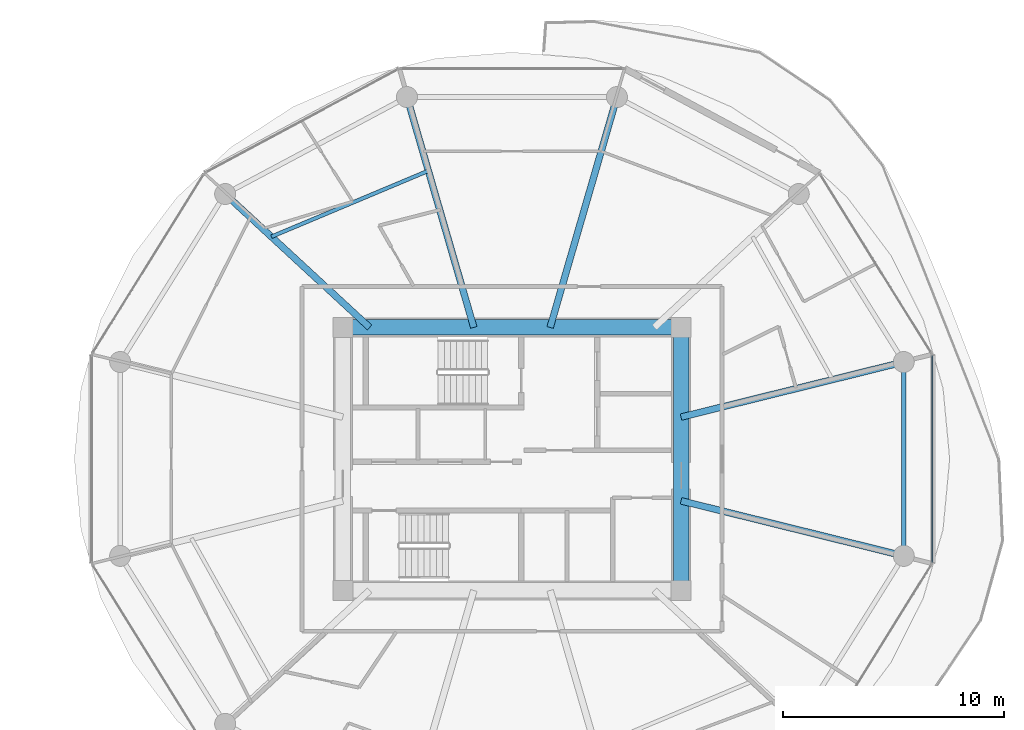
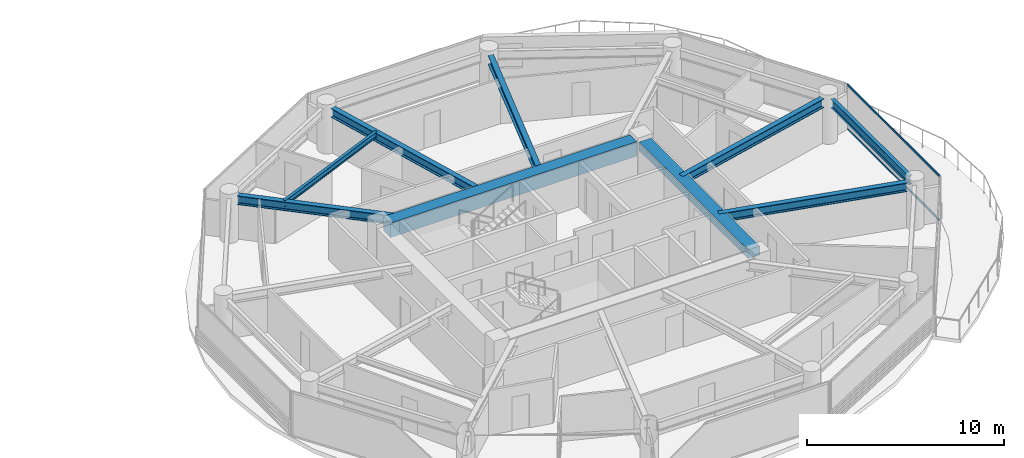
# One storey, part 12 of 27: 9 beams, 2 members, 1 element without a shape of its own.
"""IFC4 building model written with IfcOpenShell, lengths in metres."""

from ifc_helpers import new_model, si_unit, direction, frame, origin, origin_2d, place, context, subcontext, project, spatial, rectangle, i_section, extrude, source, transform, mapped, material, layer, layer_set, material_profile, profile_set, type_object, type_shapes, element, aggregate, save


model = new_model("IFC4")

# Units and contexts
model_context = context("Model", 3, precision=1e-05, world=origin(), true_north=direction((0.0, 1.0)))
body_context = subcontext(model_context, "Body", "Model", "MODEL_VIEW")
ifc_project = project(units=[si_unit("LENGTHUNIT", "METRE"), si_unit("AREAUNIT", "SQUARE_METRE"), si_unit("VOLUMEUNIT", "CUBIC_METRE"), si_unit("PLANEANGLEUNIT", "RADIAN"), si_unit("MASSUNIT", "GRAM", prefix="KILO")], contexts=[model_context])

# Site, building, storey
site_placement = place(None, origin())
site = spatial("IfcSite", under=ifc_project, at=site_placement, CompositionType="ELEMENT")
building_placement = place(site_placement, origin())
building = spatial("IfcBuilding", under=site, at=building_placement, Name="Norrkilde Senior Care Towers", CompositionType="ELEMENT")
storey_placement = place(building_placement, frame((0.0, 0.0, 46.0)))
storey = spatial("IfcBuildingStorey", under=building, at=storey_placement, Name="L13", CompositionType="ELEMENT", Elevation=46.0)

# Beams
ifc_material_1 = material(Name="Concrete C60/75", Category="concrete")
ifc_material_profile_1 = material_profile(ifc_material_1, rectangle(XDim=0.699951171875, YDim=0.89990234375, at=origin_2d()), Name="RC BM 700x900")
ifc_profile_set_1 = profile_set([ifc_material_profile_1], Name="Concrete C60/75")
beam_type_1 = type_object("IfcBeamType", Name="Core Coupling Girder 700x900", PredefinedType="USERDEFINED", material=ifc_profile_set_1)
shared_shape_1 = source(origin(), body_context, "Body", "SweptSolid", [
    extrude(rectangle(XDim=0.699951171875, YDim=0.89990234375, at=origin_2d()), origin(), (0.0, 0.0, 1.0), 14.43994140625),
])
type_shapes(beam_type_1, [shared_shape_1])
beam_1_placement = place(storey_placement, frame((20.780029296875, 5.949951171875, 2.340087890625), z_axis=(1.0, 0.0, 0.0), x_axis=(0.0, 1.0, 0.0)))
element("IfcBeam", 1, at=beam_1_placement, inside=storey, type_object=beam_type_1, Name="L13 Core E N Coupling Girder", ObjectType="GIRDER", PredefinedType="USERDEFINED", context=body_context, shape_type="MappedRepresentation", body=[
    mapped(shared_shape_1, transform((0.0, 0.0, 0.0), x_axis=(1.0, 0.0, 0.0), y_axis=(0.0, 1.0, 0.0), z_axis=(0.0, 0.0, 1.0), scale=1.0)),
])
ifc_material_profile_2 = material_profile(ifc_material_1, rectangle(XDim=0.699951171875, YDim=0.550048828125, at=origin_2d()), Name="RC BM 700x550")
ifc_profile_set_2 = profile_set([ifc_material_profile_2], Name="Concrete C60/75")
beam_type_2 = type_object("IfcBeamType", Name="Core Portal Coupling Beam 700x550", PredefinedType="USERDEFINED", material=ifc_profile_set_2)
shared_shape_2 = source(origin(), body_context, "Body", "SweptSolid", [
    extrude(rectangle(XDim=0.699951171875, YDim=0.550048828125, at=origin_2d()), origin(), (0.0, 0.0, 1.0), 11.0400390625),
])
type_shapes(beam_type_2, [shared_shape_2])
beam_2_placement = place(storey_placement, frame((35.64990234375, -5.52001953125, 2.514892578125), z_axis=(0.0, 1.0, 0.0), x_axis=(-1.0, 0.0, 0.0)))
element("IfcBeam", 2, at=beam_2_placement, inside=storey, type_object=beam_type_2, Name="L13 Core E E Coupling Girder", ObjectType="GIRDER", PredefinedType="USERDEFINED", context=body_context, shape_type="MappedRepresentation", body=[
    mapped(shared_shape_2, transform((0.0, 0.0, 0.0), x_axis=(1.0, 0.0, 0.0), y_axis=(0.0, 1.0, 0.0), z_axis=(0.0, 0.0, 1.0), scale=1.0)),
])
ifc_material_2 = material(Name="Steel S355", Category="steel")
ifc_material_profile_3 = material_profile(ifc_material_2, i_section(OverallWidth=0.300048828125, OverallDepth=0.550048828125, WebThickness=0.014892578125, FlangeThickness=0.029052734375, FilletRadius=0.027099609375, at=origin_2d()), Name="HEB 550")
ifc_profile_set_3 = profile_set([ifc_material_profile_3], Name="Steel S355")
beam_type_3 = type_object("IfcBeamType", Name="Radial Floor Beam Z1 HEB550", PredefinedType="BEAM", material=ifc_profile_set_3)
shared_shape_3 = source(origin(), body_context, "Body", "SweptSolid", [
    extrude(i_section(OverallWidth=0.300048828125, OverallDepth=0.550048828125, WebThickness=0.014892578125, FlangeThickness=0.029052734375, FilletRadius=0.027099609375, at=origin_2d()), origin(), (0.0, 0.0, 1.0), 9.94384765625),
])
for number, where, z_axis, x_axis, name in (
    (3, (35.64990234375, 1.893310546875, 2.514892578125), (0.970707425182, 0.240264634718, 0.0), (-0.240264634718, 0.970707425182, 0.0), "L13 Drum E Radial Floor Beam 01"),
    (4, (35.64990234375, -1.893310546875, 2.514892578125), (0.970707425182, -0.240264634718, 0.0), (0.240264634718, 0.970707425182, 0.0), "L13 Drum E Radial Floor Beam 12"),
):
    element("IfcBeam", number, at=place(storey_placement, frame(where, z_axis=z_axis, x_axis=x_axis)), inside=storey, type_object=beam_type_3, Name=name, PredefinedType="BEAM", context=body_context, shape_type="MappedRepresentation", body=[
        mapped(shared_shape_3, transform((0.0, 0.0, 0.0), x_axis=(1.0, 0.0, 0.0), y_axis=(0.0, 1.0, 0.0), z_axis=(0.0, 0.0, 1.0), scale=1.0)),
    ])
shared_shape_4 = source(origin(), body_context, "Body", "SweptSolid", [
    extrude(i_section(OverallWidth=0.300048828125, OverallDepth=0.550048828125, WebThickness=0.014892578125, FlangeThickness=0.029052734375, FilletRadius=0.027099609375, at=origin_2d()), origin(), (0.0, 0.0, 1.0), 8.459716796875),
])
beam_3_placement = place(storey_placement, frame((21.55859375, 5.949951171875, 2.514892578125), z_axis=(-0.734573269108, 0.678529374686, 0.0), x_axis=(-0.678529374686, -0.734573269108, 0.0)))
element("IfcBeam", 5, at=beam_3_placement, inside=storey, type_object=beam_type_3, Name="L13 Drum E Radial Floor Beam 05", PredefinedType="BEAM", context=body_context, shape_type="MappedRepresentation", body=[
    mapped(shared_shape_4, transform((0.0, 0.0, 0.0), x_axis=(1.0, 0.0, 0.0), y_axis=(0.0, 1.0, 0.0), z_axis=(0.0, 0.0, 1.0), scale=1.0)),
])
shared_shape_5 = source(origin(), body_context, "Body", "SweptSolid", [
    extrude(i_section(OverallWidth=0.300048828125, OverallDepth=0.550048828125, WebThickness=0.014892578125, FlangeThickness=0.029052734375, FilletRadius=0.027099609375, at=origin_2d()), origin(), (0.0, 0.0, 1.0), 10.4169921875),
])
type_shapes(beam_type_3, [shared_shape_3, shared_shape_4, shared_shape_5])
for number, where, z_axis, x_axis, name in (
    (6, (29.72607421875, 5.949951171875, 2.514892578125), (0.278591250785, 0.960409764104, 0.0), (-0.960409764104, 0.278591250785, 0.0), "L13 Drum E Radial Floor Beam 03"),
    (7, (26.27392578125, 5.949951171875, 2.514892578125), (-0.278591250785, 0.960409764104, 0.0), (-0.960409764104, -0.278591250785, 0.0), "L13 Drum E Radial Floor Beam 04"),
):
    element("IfcBeam", number, at=place(storey_placement, frame(where, z_axis=z_axis, x_axis=x_axis)), inside=storey, type_object=beam_type_3, Name=name, PredefinedType="BEAM", context=body_context, shape_type="MappedRepresentation", body=[
        mapped(shared_shape_5, transform((0.0, 0.0, 0.0), x_axis=(1.0, 0.0, 0.0), y_axis=(0.0, 1.0, 0.0), z_axis=(0.0, 0.0, 1.0), scale=1.0)),
    ])
ifc_material_profile_4 = material_profile(ifc_material_2, i_section(OverallWidth=0.2099609375, OverallDepth=0.550048828125, WebThickness=0.010986328125, FlangeThickness=0.01708984375, FilletRadius=0.02392578125, at=origin_2d()), Name="IPE 550")
ifc_profile_set_4 = profile_set([ifc_material_profile_4], Name="Steel S355")
beam_type_4 = type_object("IfcBeamType", Name="Perimeter Ring Spandrel Z1 IPE550", PredefinedType="SPANDREL", material=ifc_profile_set_4)
shared_shape_6 = source(origin(), body_context, "Body", "SweptSolid", [
    extrude(i_section(OverallWidth=0.2099609375, OverallDepth=0.550048828125, WebThickness=0.010986328125, FlangeThickness=0.01708984375, FilletRadius=0.02392578125, at=origin_2d()), origin(), (0.0, 0.0, 1.0), 7.90380859375),
])
type_shapes(beam_type_4, [shared_shape_6])
beam_4_placement = place(storey_placement, frame((45.724853515625, -3.951904296875, 2.514892578125), z_axis=(0.0, 1.0, 0.0), x_axis=(-1.0, 0.0, 0.0)))
element("IfcBeam", 8, at=beam_4_placement, inside=storey, type_object=beam_type_4, Name="L13 Drum E Perimeter Spandrel 12", PredefinedType="SPANDREL", context=body_context, shape_type="MappedRepresentation", body=[
    mapped(shared_shape_6, transform((0.0, 0.0, 0.0), x_axis=(1.0, 0.0, 0.0), y_axis=(0.0, 1.0, 0.0), z_axis=(0.0, 0.0, 1.0), scale=1.0)),
])
ifc_material_profile_5 = material_profile(ifc_material_2, i_section(OverallWidth=0.169921875, OverallDepth=0.360107421875, WebThickness=0.008056640625, FlangeThickness=0.0126953125, FilletRadius=0.01806640625, at=origin_2d()), Name="IPE 360")
ifc_profile_set_5 = profile_set([ifc_material_profile_5], Name="Steel S355")
beam_type_5 = type_object("IfcBeamType", Name="Secondary Floor Joist IPE360", PredefinedType="JOIST", material=ifc_profile_set_5)
shared_shape_7 = source(origin(), body_context, "Body", "SweptSolid", [
    extrude(i_section(OverallWidth=0.169921875, OverallDepth=0.360107421875, WebThickness=0.008056640625, FlangeThickness=0.0126953125, FilletRadius=0.01806640625, at=origin_2d()), origin(), (0.0, 0.0, 1.0), 7.703857421875),
])
type_shapes(beam_type_5, [shared_shape_7])
beam_5_placement = place(storey_placement, frame((24.21826171875, 13.037353515625, 2.610107421875), z_axis=(-0.921982784465, -0.387230868023, 0.0), x_axis=(0.387230868023, -0.921982784465, 0.0)))
element("IfcBeam", 9, at=beam_5_placement, inside=storey, type_object=beam_type_5, Name="L13 Drum E Secondary Floor Joist 2", PredefinedType="JOIST", context=body_context, shape_type="MappedRepresentation", body=[
    mapped(shared_shape_7, transform((0.0, 0.0, 0.0), x_axis=(1.0, 0.0, 0.0), y_axis=(0.0, 1.0, 0.0), z_axis=(0.0, 0.0, 1.0), scale=1.0)),
])

# Curtain wall, members
ifc_material_3 = material(Name="Triple Low-E Insulated Glazing", Category="glass")
ifc_layer = layer(ifc_material_3, 0.199951171875)
ifc_layer_set = layer_set([ifc_layer], Name="Triple Low-E Insulated Glazing")
curtain_wall_type = type_object("IfcCurtainWallType", Name="CW2 Zone 1 Memory Care Curtain Wall", PredefinedType="NOTDEFINED", material=ifc_layer_set)
curtain_wall_placement = place(storey_placement, origin())
curtain_wall = element("IfcCurtainWall", 10, at=curtain_wall_placement, inside=storey, type_object=curtain_wall_type, Name="L13 Drum E Curtain Wall 11", PredefinedType="NOTDEFINED")
ifc_material_4 = material(Name="Anodised Aluminium", Category="aluminium")
ifc_material_profile_6 = material_profile(ifc_material_4, rectangle(XDim=0.06005859375, YDim=0.1201171875, at=origin_2d()), Name="ALU TRAN 60x120")
ifc_profile_set_6 = profile_set([ifc_material_profile_6], Name="Anodised Aluminium")
member_type = type_object("IfcMemberType", Name="Curtain Wall Transom Typical 60x120", PredefinedType="USERDEFINED", material=ifc_profile_set_6)
shared_shape_8 = source(origin(), body_context, "Body", "SweptSolid", [
    extrude(rectangle(XDim=0.06005859375, YDim=0.1201171875, at=origin_2d()), origin(), (0.0, 0.0, 1.0), 9.33251953125),
])
type_shapes(member_type, [shared_shape_8])
member_1_placement = place(storey_placement, frame((47.009521484375, 4.666259765625, 0.030029296875), z_axis=(0.0, -1.0, 0.0), x_axis=(1.0, 0.0, 0.0)))
member_1 = element("IfcMember", 11, at=member_1_placement, type_object=member_type, Name="CW-2 transom 1.1", ObjectType="TRANSOM", PredefinedType="USERDEFINED", context=body_context, shape_type="MappedRepresentation", body=[
    mapped(shared_shape_8, transform((0.0, 0.0, 0.0), x_axis=(1.0, 0.0, 0.0), y_axis=(0.0, 1.0, 0.0), z_axis=(0.0, 0.0, 1.0), scale=1.0)),
])
member_2_placement = place(storey_placement, frame((47.009521484375, 4.666259765625, 2.760009765625), z_axis=(0.0, -1.0, 0.0), x_axis=(1.0, 0.0, 0.0)))
member_2 = element("IfcMember", 12, at=member_2_placement, type_object=member_type, Name="CW-2 transom 1.2", ObjectType="TRANSOM", PredefinedType="USERDEFINED", context=body_context, shape_type="MappedRepresentation", body=[
    mapped(shared_shape_8, transform((0.0, 0.0, 0.0), x_axis=(1.0, 0.0, 0.0), y_axis=(0.0, 1.0, 0.0), z_axis=(0.0, 0.0, 1.0), scale=1.0)),
])
aggregate(curtain_wall, [member_1, member_2])

save(model, "model.ifc")
